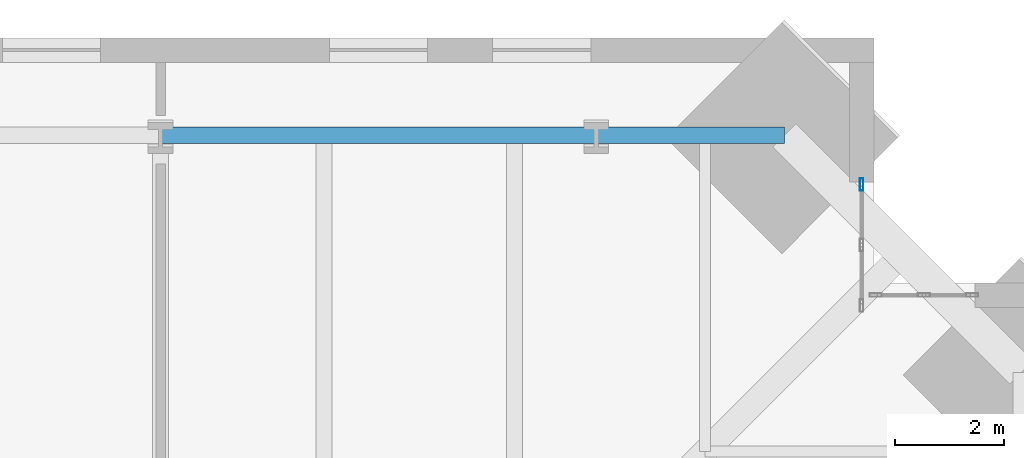
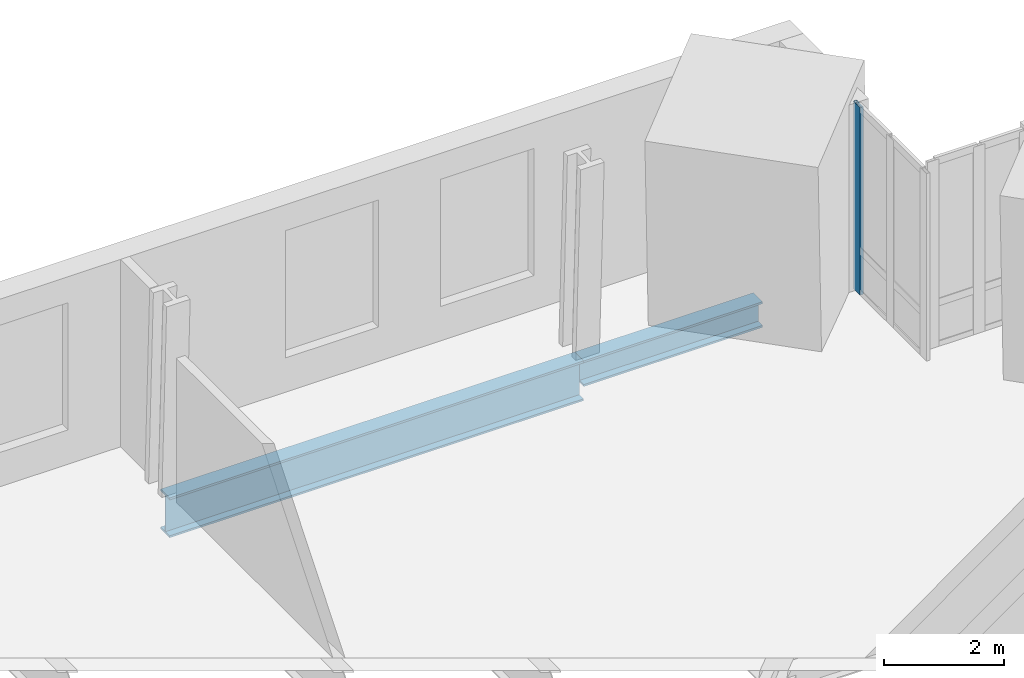
# One storey, part 11 of 18: 2 beams, 1 member, 1 element without a shape of its own.
"""IFC4 building model written with IfcOpenShell, lengths in metres."""

from ifc_helpers import new_model, si_unit, direction, frame, origin, origin_2d, place, context, subcontext, project, spatial, hollow_rectangle, i_section, extrude, material, material_profile, profile_set, type_object, element, aggregate, save


model = new_model("IFC4")

# Units and contexts
model_context = context("Model", 3, precision=1e-05, world=origin(), true_north=direction((0.0, 1.0)))
body_context = subcontext(model_context, "Body", "Model", "MODEL_VIEW")
ifc_project = project(units=[si_unit("LENGTHUNIT", "METRE"), si_unit("AREAUNIT", "SQUARE_METRE"), si_unit("VOLUMEUNIT", "CUBIC_METRE"), si_unit("PLANEANGLEUNIT", "RADIAN"), si_unit("MASSUNIT", "GRAM", prefix="KILO")], contexts=[model_context])

# Site, building, storey
site_placement = place(None, origin())
site = spatial("IfcSite", under=ifc_project, at=site_placement, CompositionType="ELEMENT")
building_placement = place(site_placement, origin())
building = spatial("IfcBuilding", under=site, at=building_placement, Name="Peilmerk Tower", CompositionType="ELEMENT")
storey_placement = place(building_placement, frame((0.0, 0.0, 175.800048828125)))
storey = spatial("IfcBuildingStorey", under=building, at=storey_placement, Name="L37", CompositionType="ELEMENT", Elevation=175.800048828125)

# Beams
ifc_material_1 = material(Name="Steel S355", Category="steel")
ifc_material_profile_1 = material_profile(ifc_material_1, i_section(OverallWidth=0.302978515625, OverallDepth=0.81396484375, WebThickness=0.02099609375, FlangeThickness=0.0400390625, at=origin_2d()), Name="HEM 800")
ifc_profile_set_1 = profile_set([ifc_material_profile_1], Name="Steel S355")
beam_type_1 = type_object("IfcBeamType", Name="B15 HEM 800 edge beam", PredefinedType="SPANDREL", material=ifc_profile_set_1)
beam_1_placement = place(storey_placement, frame((16.0, 23.80810546875, -0.5771484375), z_axis=(-1.0, 0.0, 0.0), x_axis=(0.0, -1.0, 0.0)))
element("IfcBeam", 1, at=beam_1_placement, inside=storey, type_object=beam_type_1, Name="Edge beam L37", PredefinedType="SPANDREL", context=body_context, shape_type="SweptSolid", body=[
    extrude(i_section(OverallWidth=0.302978515625, OverallDepth=0.81396484375, WebThickness=0.02099609375, FlangeThickness=0.0400390625, at=origin_2d()), origin(), (0.0, 0.0, 1.0), 8.0),
])
ifc_material_profile_2 = material_profile(ifc_material_1, i_section(OverallWidth=0.305908203125, OverallDepth=0.52392578125, WebThickness=0.02099609375, FlangeThickness=0.0400390625, at=origin_2d()), Name="HEM 500")
ifc_profile_set_2 = profile_set([ifc_material_profile_2], Name="Steel S355")
beam_type_2 = type_object("IfcBeamType", Name="B33 HEM 500 edge beam", PredefinedType="SPANDREL", material=ifc_profile_set_2)
beam_2_placement = place(storey_placement, frame((19.4580078125, 23.80810546875, -0.43212890625), z_axis=(-1.0, 0.0, 0.0), x_axis=(0.0, -1.0, 0.0)))
element("IfcBeam", 2, at=beam_2_placement, inside=storey, type_object=beam_type_2, Name="Edge beam L37", PredefinedType="SPANDREL", context=body_context, shape_type="SweptSolid", body=[
    extrude(i_section(OverallWidth=0.305908203125, OverallDepth=0.52392578125, WebThickness=0.02099609375, FlangeThickness=0.0400390625, at=origin_2d()), origin(), (0.0, 0.0, 1.0), 3.4580078125),
])

# Curtain wall, member
ifc_material_2 = material(Name="Aluminium stick curtain wall", Category="aluminium")
curtain_wall_type = type_object("IfcCurtainWallType", Name="CW3 stick curtain wall, 2250 module", PredefinedType="NOTDEFINED", material=ifc_material_2)
curtain_wall_placement = place(storey_placement, origin())
curtain_wall = element("IfcCurtainWall", 3, at=curtain_wall_placement, inside=storey, type_object=curtain_wall_type, Name="Curtain wall CW3 NEA L37", PredefinedType="NOTDEFINED")
ifc_material_3 = material(Name="Aluminium EN AW-6063 T6", Category="aluminium")
ifc_material_profile_3 = material_profile(ifc_material_3, hollow_rectangle(XDim=0.06494140625, YDim=0.22509765625, WallThickness=0.00390625, at=origin_2d()), Name="AL 225x65x4")
ifc_profile_set_3 = profile_set([ifc_material_profile_3], Name="Aluminium EN AW-6063 T6")
member_type = type_object("IfcMemberType", Name="CW3-M AL 225x65x4 mullion", PredefinedType="MULLION", material=ifc_profile_set_3)
member_placement = place(storey_placement, frame((20.875, 22.90625, 0.0), z_axis=(0.0, 0.0, 1.0), x_axis=(-1.0, 0.0, 0.0)))
member = element("IfcMember", 4, at=member_placement, type_object=member_type, Name="CW3 mullion 3", PredefinedType="MULLION", context=body_context, shape_type="SweptSolid", body=[
    extrude(hollow_rectangle(XDim=0.06494140625, YDim=0.22509765625, WallThickness=0.00390625, at=origin_2d()), origin(), (0.0, 0.0, 1.0), 3.829833984375),
])
aggregate(curtain_wall, [member])

save(model, "model.ifc")
